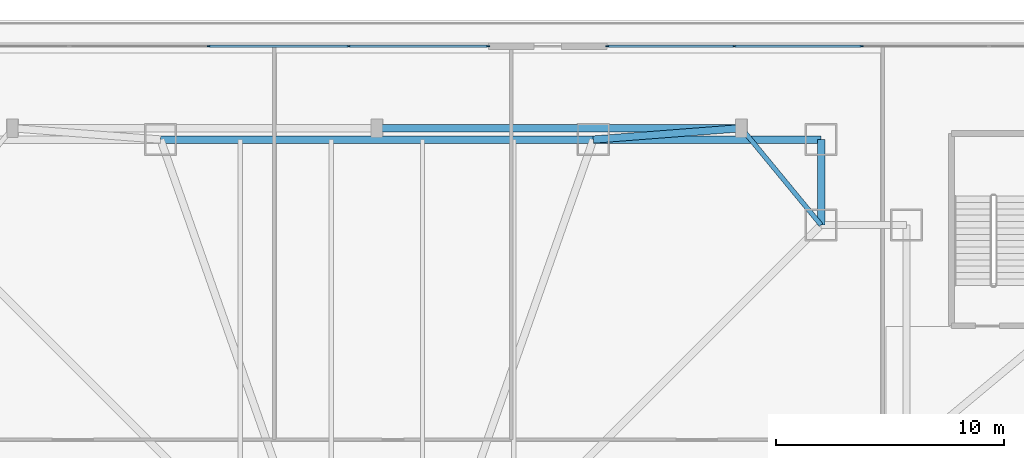
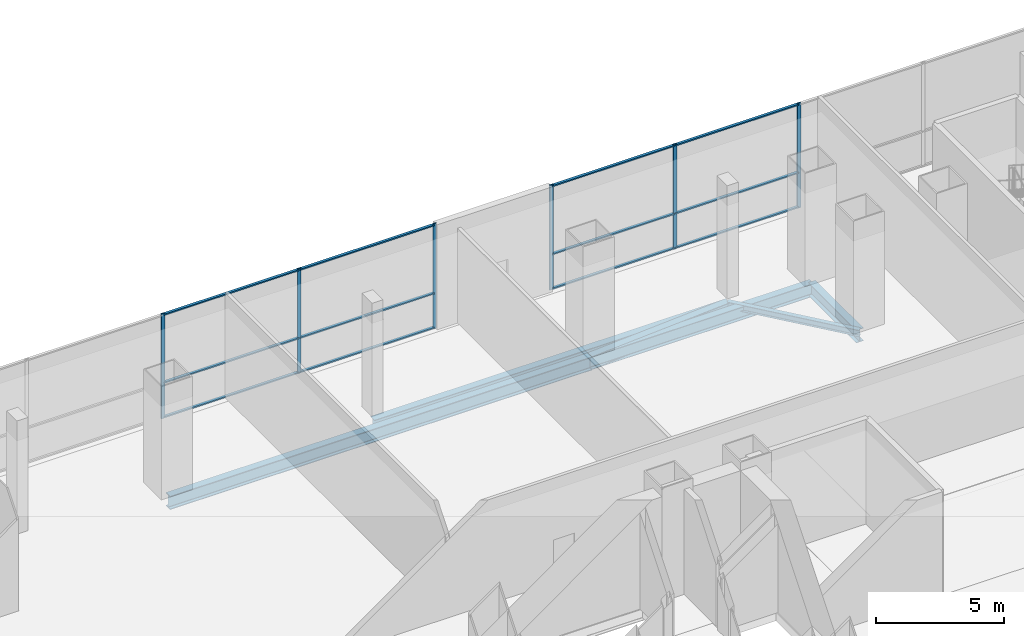
# One storey, part 15 of 36: 18 members, 6 beams, 2 elements without a shape of their own.
"""IFC4 building model written with IfcOpenShell, lengths in metres."""

from ifc_helpers import new_model, si_unit, direction, frame, origin, origin_2d, place, context, subcontext, project, spatial, rectangle, i_section, extrude, material, layer, layer_set, material_profile, profile_set, type_object, element, aggregate, save


model = new_model("IFC4")

# Units and contexts
model_context = context("Model", 3, precision=1e-05, world=origin(), true_north=direction((0.0, 1.0)))
body_context = subcontext(model_context, "Body", "Model", "MODEL_VIEW")
ifc_project = project(units=[si_unit("LENGTHUNIT", "METRE"), si_unit("AREAUNIT", "SQUARE_METRE"), si_unit("VOLUMEUNIT", "CUBIC_METRE"), si_unit("PLANEANGLEUNIT", "RADIAN"), si_unit("MASSUNIT", "GRAM", prefix="KILO")], contexts=[model_context])

# Site, building, storey
site_placement = place(None, origin())
site = spatial("IfcSite", under=ifc_project, at=site_placement, CompositionType="ELEMENT")
building_placement = place(site_placement, origin())
building = spatial("IfcBuilding", under=site, at=building_placement, Name="Trevonay Congress Spire", CompositionType="ELEMENT")
storey_placement = place(building_placement, frame((0.0, 0.0, 5.39990234375)))
storey = spatial("IfcBuildingStorey", under=building, at=storey_placement, Name="L01", CompositionType="ELEMENT", Elevation=5.39990234375)

# Beams
ifc_material_1 = material(Name="Steel ASTM A572 Grade 50", Category="steel")
ifc_material_profile_1 = material_profile(ifc_material_1, i_section(OverallWidth=0.324951171875, OverallDepth=0.615966796875, WebThickness=0.013916015625, FlangeThickness=0.021484375, FilletRadius=0.01806640625, at=origin_2d()), Name="W610x174")
ifc_profile_set_1 = profile_set([ifc_material_profile_1], Name="Steel ASTM A572 Grade 50")
beam_type_1 = type_object("IfcBeamType", Name="BM-GIRD-W610X174", PredefinedType="BEAM", material=ifc_profile_set_1)
beam_1_placement = place(storey_placement, frame((9.5, 23.25, -0.7080078125), z_axis=(1.0, 0.0, 0.0), x_axis=(0.0, 1.0, 0.0)))
element("IfcBeam", 1, at=beam_1_placement, inside=storey, type_object=beam_type_1, Name="L01 structural beam BM-L01-MN3", PredefinedType="BEAM", context=body_context, shape_type="SweptSolid", body=[
    extrude(i_section(OverallWidth=0.324951171875, OverallDepth=0.615966796875, WebThickness=0.013916015625, FlangeThickness=0.021484375, FilletRadius=0.01806640625, at=origin_2d()), origin(), (0.0, 0.0, 1.0), 10.0),
])
beam_2_placement = place(storey_placement, frame((19.5, 23.25, -0.7080078125), z_axis=(0.0, -1.0, 0.0), x_axis=(1.0, 0.0, 0.0)))
element("IfcBeam", 2, at=beam_2_placement, inside=storey, type_object=beam_type_1, Name="L01 structural beam BM-L01-CNE", PredefinedType="BEAM", context=body_context, shape_type="SweptSolid", body=[
    extrude(i_section(OverallWidth=0.324951171875, OverallDepth=0.615966796875, WebThickness=0.013916015625, FlangeThickness=0.021484375, FilletRadius=0.01806640625, at=origin_2d()), origin(), (0.0, 0.0, 1.0), 3.75),
])
beam_3_placement = place(storey_placement, frame((0.0, 23.75, -0.7080078125), z_axis=(1.0, 0.0, 0.0), x_axis=(0.0, 1.0, 0.0)))
element("IfcBeam", 3, at=beam_3_placement, inside=storey, type_object=beam_type_1, Name="L01 structural beam BM-L01-PIL-N2", PredefinedType="BEAM", context=body_context, shape_type="SweptSolid", body=[
    extrude(i_section(OverallWidth=0.324951171875, OverallDepth=0.615966796875, WebThickness=0.013916015625, FlangeThickness=0.021484375, FilletRadius=0.01806640625, at=origin_2d()), origin(), (0.0, 0.0, 1.0), 16.0),
])
beam_4_placement = place(storey_placement, frame((9.5, 23.25, -0.7080078125), z_axis=(0.997054485502, 0.076696498885, 0.0), x_axis=(-0.076696498885, 0.997054485502, 0.0)))
element("IfcBeam", 4, at=beam_4_placement, inside=storey, type_object=beam_type_1, Name="L01 structural beam BM-L01-PIL-TN2", PredefinedType="BEAM", context=body_context, shape_type="SweptSolid", body=[
    extrude(i_section(OverallWidth=0.324951171875, OverallDepth=0.615966796875, WebThickness=0.013916015625, FlangeThickness=0.021484375, FilletRadius=0.01806640625, at=origin_2d()), origin(), (0.0, 0.0, 1.0), 6.519287109375),
])
ifc_material_profile_2 = material_profile(ifc_material_1, i_section(OverallWidth=0.3291015625, OverallDepth=0.635009765625, WebThickness=0.017822265625, FlangeThickness=0.031005859375, FilletRadius=0.01806640625, at=origin_2d()), Name="W610x241")
ifc_profile_set_2 = profile_set([ifc_material_profile_2], Name="Steel ASTM A572 Grade 50")
beam_type_2 = type_object("IfcBeamType", Name="BM-GIRD-W610X241", PredefinedType="BEAM", material=ifc_profile_set_2)
beam_5_placement = place(storey_placement, frame((-9.5, 23.25, -0.71728515625), z_axis=(1.0, 0.0, 0.0), x_axis=(0.0, 1.0, 0.0)))
element("IfcBeam", 5, at=beam_5_placement, inside=storey, type_object=beam_type_2, Name="L01 structural beam BM-L01-MN2", PredefinedType="BEAM", context=body_context, shape_type="SweptSolid", body=[
    extrude(i_section(OverallWidth=0.3291015625, OverallDepth=0.635009765625, WebThickness=0.017822265625, FlangeThickness=0.031005859375, FilletRadius=0.01806640625, at=origin_2d()), origin(), (0.0, 0.0, 1.0), 19.0),
])

# Curtain wall, members
ifc_material_2 = material(Name="Pale Anodised Aluminium EN AW-6063-T6", Category="aluminium")
ifc_layer = layer(ifc_material_2, 0.179931640625, Name="Pale Anodised Aluminium EN AW-6063-T6")
ifc_layer_set = layer_set([ifc_layer], Name="Pale Anodised Aluminium EN AW-6063-T6")
curtain_wall_type = type_object("IfcCurtainWallType", Name="CW-SYS01-PODIUM-PALE-METAL", PredefinedType="NOTDEFINED", material=ifc_layer_set)
curtain_wall_1_placement = place(storey_placement, origin())
curtain_wall_1 = element("IfcCurtainWall", 6, at=curtain_wall_1_placement, inside=storey, type_object=curtain_wall_type, Name="L01 N1 podium curtain wall", PredefinedType="NOTDEFINED")
ifc_material_profile_3 = material_profile(ifc_material_2, rectangle(XDim=0.06005859375, YDim=0.159912109375, at=origin_2d()), Name="CW-MULLION-160-ALUMINIUM")
ifc_profile_set_3 = profile_set([ifc_material_profile_3], Name="Pale Anodised Aluminium EN AW-6063-T6")
member_type_1 = type_object("IfcMemberType", Name="CW-MULLION-160-ALUMINIUM", PredefinedType="MULLION", material=ifc_profile_set_3)
member_1_placement = place(storey_placement, frame((-7.371337890625, 27.35009765625, 0.0), z_axis=(0.0, 0.0, 1.0), x_axis=(0.0, 1.0, 0.0)))
member_1 = element("IfcMember", 7, at=member_1_placement, type_object=member_type_1, Name="CW01 mullion 6", PredefinedType="MULLION", context=body_context, shape_type="SweptSolid", body=[
    extrude(rectangle(XDim=0.06005859375, YDim=0.159912109375, at=origin_2d()), origin(), (0.0, 0.0, 1.0), 5.0),
])
member_2_placement = place(storey_placement, frame((-1.235595703125, 27.35009765625, 0.0), z_axis=(0.0, 0.0, 1.0), x_axis=(0.0, 1.0, 0.0)))
member_2 = element("IfcMember", 8, at=member_2_placement, type_object=member_type_1, Name="CW01 mullion 7", PredefinedType="MULLION", context=body_context, shape_type="SweptSolid", body=[
    extrude(rectangle(XDim=0.06005859375, YDim=0.159912109375, at=origin_2d()), origin(), (0.0, 0.0, 1.0), 5.0),
])
member_3_placement = place(storey_placement, frame((4.8701171875, 27.35009765625, 0.0), z_axis=(0.0, 0.0, 1.0), x_axis=(0.0, 1.0, 0.0)))
member_3 = element("IfcMember", 9, at=member_3_placement, type_object=member_type_1, Name="CW01 mullion 8", PredefinedType="MULLION", context=body_context, shape_type="SweptSolid", body=[
    extrude(rectangle(XDim=0.06005859375, YDim=0.159912109375, at=origin_2d()), origin(), (0.0, 0.0, 1.0), 5.0),
])

curtain_wall_2_placement = place(storey_placement, origin())
curtain_wall_2 = element("IfcCurtainWall", 10, at=curtain_wall_2_placement, inside=storey, type_object=curtain_wall_type, Name="L01 N2 podium curtain wall", PredefinedType="NOTDEFINED")
member_4_placement = place(storey_placement, frame((10.1298828125, 27.35009765625, 0.0), z_axis=(0.0, 0.0, 1.0), x_axis=(0.0, 1.0, 0.0)))
member_4 = element("IfcMember", 11, at=member_4_placement, type_object=member_type_1, Name="CW01 mullion 1", PredefinedType="MULLION", context=body_context, shape_type="SweptSolid", body=[
    extrude(rectangle(XDim=0.06005859375, YDim=0.159912109375, at=origin_2d()), origin(), (0.0, 0.0, 1.0), 5.0),
])
member_5_placement = place(storey_placement, frame((15.68994140625, 27.35009765625, 0.0), z_axis=(0.0, 0.0, 1.0), x_axis=(0.0, 1.0, 0.0)))
member_5 = element("IfcMember", 12, at=member_5_placement, type_object=member_type_1, Name="CW01 mullion 2", PredefinedType="MULLION", context=body_context, shape_type="SweptSolid", body=[
    extrude(rectangle(XDim=0.06005859375, YDim=0.159912109375, at=origin_2d()), origin(), (0.0, 0.0, 1.0), 5.0),
])
member_6_placement = place(storey_placement, frame((21.280029296875, 27.35009765625, 0.0), z_axis=(0.0, 0.0, 1.0), x_axis=(0.0, 1.0, 0.0)))
member_6 = element("IfcMember", 13, at=member_6_placement, type_object=member_type_1, Name="CW01 mullion 3", PredefinedType="MULLION", context=body_context, shape_type="SweptSolid", body=[
    extrude(rectangle(XDim=0.06005859375, YDim=0.159912109375, at=origin_2d()), origin(), (0.0, 0.0, 1.0), 5.0),
])

# Member
ifc_material_profile_4 = material_profile(ifc_material_2, rectangle(XDim=0.1201171875, YDim=0.06005859375, at=origin_2d()), Name="CW-TRANSOM-120-ALUMINIUM")
ifc_profile_set_4 = profile_set([ifc_material_profile_4], Name="Pale Anodised Aluminium EN AW-6063-T6")
member_type_2 = type_object("IfcMemberType", Name="CW-TRANSOM-120-ALUMINIUM", PredefinedType="USERDEFINED", material=ifc_profile_set_4)
member_7_placement = place(storey_placement, frame((-7.34130859375, 27.35009765625, 0.06005859375), z_axis=(1.0, 0.0, 0.0), x_axis=(0.0, 1.0, 0.0)))
member_7 = element("IfcMember", 14, at=member_7_placement, type_object=member_type_2, Name="CW01 transom 6.1", ObjectType="TRANSOM", PredefinedType="USERDEFINED", context=body_context, shape_type="SweptSolid", body=[
    extrude(rectangle(XDim=0.1201171875, YDim=0.06005859375, at=origin_2d()), origin(), (0.0, 0.0, 1.0), 6.07568359375),
])

member_8_placement = place(storey_placement, frame((-7.34130859375, 27.35009765625, 1.7001953125), z_axis=(1.0, 0.0, 0.0), x_axis=(0.0, 1.0, 0.0)))
member_8 = element("IfcMember", 15, at=member_8_placement, type_object=member_type_2, Name="CW01 transom 6.2", ObjectType="TRANSOM", PredefinedType="USERDEFINED", context=body_context, shape_type="SweptSolid", body=[
    extrude(rectangle(XDim=0.1201171875, YDim=0.06005859375, at=origin_2d()), origin(), (0.0, 0.0, 1.0), 6.07568359375),
])

member_9_placement = place(storey_placement, frame((-7.34130859375, 27.35009765625, 4.940185546875), z_axis=(1.0, 0.0, 0.0), x_axis=(0.0, 1.0, 0.0)))
member_9 = element("IfcMember", 16, at=member_9_placement, type_object=member_type_2, Name="CW01 transom 6.3", ObjectType="TRANSOM", PredefinedType="USERDEFINED", context=body_context, shape_type="SweptSolid", body=[
    extrude(rectangle(XDim=0.1201171875, YDim=0.06005859375, at=origin_2d()), origin(), (0.0, 0.0, 1.0), 6.07568359375),
])

member_10_placement = place(storey_placement, frame((-1.205810546875, 27.35009765625, 0.06005859375), z_axis=(1.0, 0.0, 0.0), x_axis=(0.0, 1.0, 0.0)))
member_10 = element("IfcMember", 17, at=member_10_placement, type_object=member_type_2, Name="CW01 transom 7.1", ObjectType="TRANSOM", PredefinedType="USERDEFINED", context=body_context, shape_type="SweptSolid", body=[
    extrude(rectangle(XDim=0.1201171875, YDim=0.06005859375, at=origin_2d()), origin(), (0.0, 0.0, 1.0), 6.0458984375),
])

member_11_placement = place(storey_placement, frame((-1.205810546875, 27.35009765625, 1.7001953125), z_axis=(1.0, 0.0, 0.0), x_axis=(0.0, 1.0, 0.0)))
member_11 = element("IfcMember", 18, at=member_11_placement, type_object=member_type_2, Name="CW01 transom 7.2", ObjectType="TRANSOM", PredefinedType="USERDEFINED", context=body_context, shape_type="SweptSolid", body=[
    extrude(rectangle(XDim=0.1201171875, YDim=0.06005859375, at=origin_2d()), origin(), (0.0, 0.0, 1.0), 6.0458984375),
])

member_12_placement = place(storey_placement, frame((-1.205810546875, 27.35009765625, 4.940185546875), z_axis=(1.0, 0.0, 0.0), x_axis=(0.0, 1.0, 0.0)))
member_12 = element("IfcMember", 19, at=member_12_placement, type_object=member_type_2, Name="CW01 transom 7.3", ObjectType="TRANSOM", PredefinedType="USERDEFINED", context=body_context, shape_type="SweptSolid", body=[
    extrude(rectangle(XDim=0.1201171875, YDim=0.06005859375, at=origin_2d()), origin(), (0.0, 0.0, 1.0), 6.0458984375),
])

aggregate(curtain_wall_1, [member_1, member_2, member_3, member_7, member_8, member_9, member_10, member_11, member_12])

member_13_placement = place(storey_placement, frame((10.159912109375, 27.35009765625, 0.06005859375), z_axis=(1.0, 0.0, 0.0), x_axis=(0.0, 1.0, 0.0)))
member_13 = element("IfcMember", 20, at=member_13_placement, type_object=member_type_2, Name="CW01 transom 1.1", ObjectType="TRANSOM", PredefinedType="USERDEFINED", context=body_context, shape_type="SweptSolid", body=[
    extrude(rectangle(XDim=0.1201171875, YDim=0.06005859375, at=origin_2d()), origin(), (0.0, 0.0, 1.0), 5.5),
])

member_14_placement = place(storey_placement, frame((10.159912109375, 27.35009765625, 1.7001953125), z_axis=(1.0, 0.0, 0.0), x_axis=(0.0, 1.0, 0.0)))
member_14 = element("IfcMember", 21, at=member_14_placement, type_object=member_type_2, Name="CW01 transom 1.2", ObjectType="TRANSOM", PredefinedType="USERDEFINED", context=body_context, shape_type="SweptSolid", body=[
    extrude(rectangle(XDim=0.1201171875, YDim=0.06005859375, at=origin_2d()), origin(), (0.0, 0.0, 1.0), 5.5),
])

member_15_placement = place(storey_placement, frame((10.159912109375, 27.35009765625, 4.940185546875), z_axis=(1.0, 0.0, 0.0), x_axis=(0.0, 1.0, 0.0)))
member_15 = element("IfcMember", 22, at=member_15_placement, type_object=member_type_2, Name="CW01 transom 1.3", ObjectType="TRANSOM", PredefinedType="USERDEFINED", context=body_context, shape_type="SweptSolid", body=[
    extrude(rectangle(XDim=0.1201171875, YDim=0.06005859375, at=origin_2d()), origin(), (0.0, 0.0, 1.0), 5.5),
])

member_16_placement = place(storey_placement, frame((15.719970703125, 27.35009765625, 0.06005859375), z_axis=(1.0, 0.0, 0.0), x_axis=(0.0, 1.0, 0.0)))
member_16 = element("IfcMember", 23, at=member_16_placement, type_object=member_type_2, Name="CW01 transom 2.1", ObjectType="TRANSOM", PredefinedType="USERDEFINED", context=body_context, shape_type="SweptSolid", body=[
    extrude(rectangle(XDim=0.1201171875, YDim=0.06005859375, at=origin_2d()), origin(), (0.0, 0.0, 1.0), 5.530029296875),
])

member_17_placement = place(storey_placement, frame((15.719970703125, 27.35009765625, 1.7001953125), z_axis=(1.0, 0.0, 0.0), x_axis=(0.0, 1.0, 0.0)))
member_17 = element("IfcMember", 24, at=member_17_placement, type_object=member_type_2, Name="CW01 transom 2.2", ObjectType="TRANSOM", PredefinedType="USERDEFINED", context=body_context, shape_type="SweptSolid", body=[
    extrude(rectangle(XDim=0.1201171875, YDim=0.06005859375, at=origin_2d()), origin(), (0.0, 0.0, 1.0), 5.530029296875),
])

member_18_placement = place(storey_placement, frame((15.719970703125, 27.35009765625, 4.940185546875), z_axis=(1.0, 0.0, 0.0), x_axis=(0.0, 1.0, 0.0)))
member_18 = element("IfcMember", 25, at=member_18_placement, type_object=member_type_2, Name="CW01 transom 2.3", ObjectType="TRANSOM", PredefinedType="USERDEFINED", context=body_context, shape_type="SweptSolid", body=[
    extrude(rectangle(XDim=0.1201171875, YDim=0.06005859375, at=origin_2d()), origin(), (0.0, 0.0, 1.0), 5.530029296875),
])

aggregate(curtain_wall_2, [member_4, member_5, member_6, member_13, member_14, member_15, member_16, member_17, member_18])

# Beam
ifc_material_profile_5 = material_profile(ifc_material_1, i_section(OverallWidth=0.2041015625, OverallDepth=0.305908203125, WebThickness=0.008544921875, FlangeThickness=0.0146484375, FilletRadius=0.010986328125, at=origin_2d()), Name="W310x67")
ifc_profile_set_5 = profile_set([ifc_material_profile_5], Name="Steel ASTM A572 Grade 50")
beam_type_3 = type_object("IfcBeamType", Name="SPB-W310X67", PredefinedType="SPANDREL", material=ifc_profile_set_5)
beam_6_placement = place(storey_placement, frame((16.0, 23.75, -0.552978515625), z_axis=(0.635707252861, -0.771930235617, 0.0), x_axis=(0.771930235617, 0.635707252861, 0.0)))
element("IfcBeam", 26, at=beam_6_placement, inside=storey, type_object=beam_type_3, Name="L01 structural beam SPB-L01-NE", PredefinedType="SPANDREL", context=body_context, shape_type="SweptSolid", body=[
    extrude(i_section(OverallWidth=0.2041015625, OverallDepth=0.305908203125, WebThickness=0.008544921875, FlangeThickness=0.0146484375, FilletRadius=0.010986328125, at=origin_2d()), origin(), (0.0, 0.0, 1.0), 5.505615234375),
])

save(model, "model.ifc")
